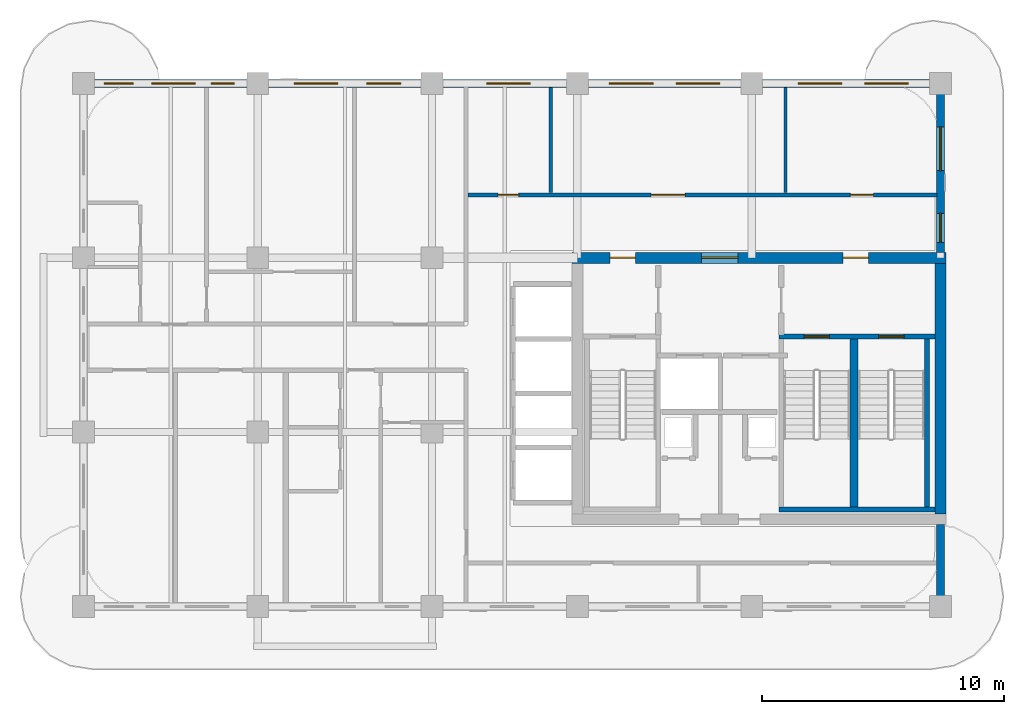
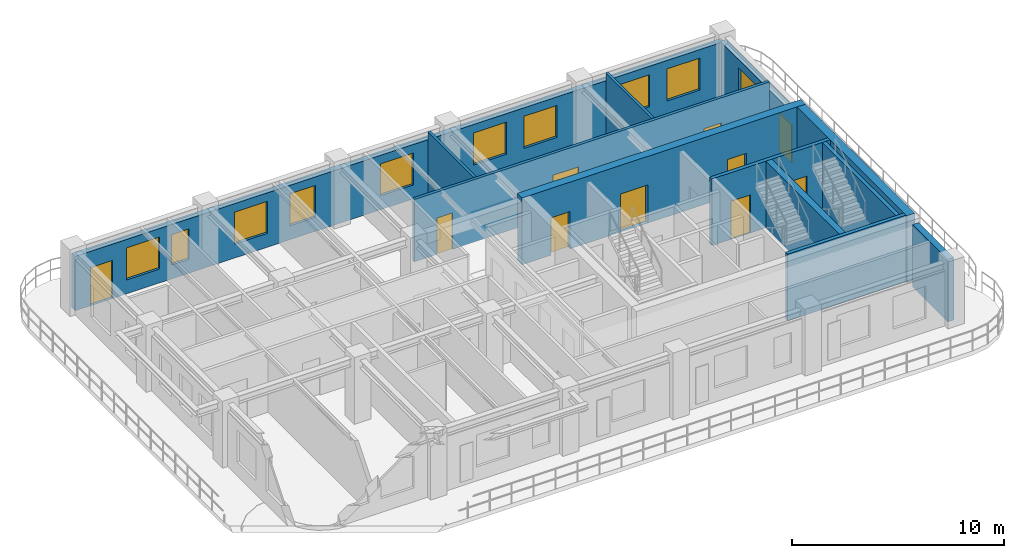
# One storey, part 5 of 8: 12 walls, 10 doors, 10 windows, 20 openings.
"""IFC4 building model written with IfcOpenShell, lengths in metres."""

from ifc_helpers import new_model, si_unit, derived_unit, direction, frame, frame_2d, origin, place, context, subcontext, project, spatial, rectangle, extrude, source, transform, mapped, material, layer, layer_set, type_object, type_shapes, element, fill, save


model = new_model("IFC4")

# Units and contexts
model_context = context("Model", 3, precision=1e-05, world=origin(), true_north=direction((0.0, 1.0)))
body_context = subcontext(model_context, "Body", "Model", "MODEL_VIEW")
ifc_project = project(units=[si_unit("LENGTHUNIT", "METRE"), si_unit("AREAUNIT", "SQUARE_METRE"), si_unit("VOLUMEUNIT", "CUBIC_METRE"), si_unit("PLANEANGLEUNIT", "RADIAN"), si_unit("MASSUNIT", "GRAM", prefix="KILO"), si_unit("THERMODYNAMICTEMPERATUREUNIT", "KELVIN"), si_unit("POWERUNIT", "WATT"), derived_unit("THERMALTRANSMITTANCEUNIT", [(si_unit("POWERUNIT", "WATT"), 1), (si_unit("AREAUNIT", "SQUARE_METRE"), -1), (si_unit("THERMODYNAMICTEMPERATUREUNIT", "KELVIN"), -1)])], contexts=[model_context])

# Site, building, storey
site_placement = place(None, origin())
site = spatial("IfcSite", under=ifc_project, at=site_placement, CompositionType="ELEMENT")
building_placement = place(site_placement, origin())
building = spatial("IfcBuilding", under=site, at=building_placement, Name="Zahravan Archway Hotel and Residences", CompositionType="ELEMENT")
storey_placement = place(building_placement, frame((0.0, 0.0, 232.699951171875)))
storey = spatial("IfcBuildingStorey", under=building, at=storey_placement, Name="L58", CompositionType="ELEMENT", Elevation=232.699951171875)

# Wall, openings, doors
ifc_material_1 = material(Name="Concrete C50/60", Category="concrete")
ifc_layer_1 = layer(ifc_material_1, 0.449951171875, Name="Concrete C50/60", Category="concrete")
ifc_layer_set_1 = layer_set([ifc_layer_1], Name="Concrete C50/60")
wall_type_1 = type_object("IfcWallType", Name="CW-CORE-450", PredefinedType="SHEAR", material=ifc_layer_set_1)
wall_1_placement = place(storey_placement, frame((34.574951171875, 14.39990234375, 0.0), z_axis=(0.0, 0.0, 1.0), x_axis=(1.0, 0.0, 0.0)))
wall_1 = element("IfcWall", 1, at=wall_1_placement, inside=storey, type_object=wall_type_1, Name="L58 Core A Shear N Wall 450 mm", PredefinedType="SHEAR", context=body_context, shape_type="SweptSolid", body=[
    extrude(rectangle(XDim=15.449951171875, YDim=0.449951171875, at=frame_2d((7.72509765625, 0.0))), origin(), (0.0, 0.0, 1.0), 3.85009765625),
])
opening_1_placement = place(wall_1_placement, frame((5.35498046875, 0.0, 0.0)))
opening_1 = element("IfcOpeningElement", 2, at=opening_1_placement, cuts=wall_1, Name="Opening FD-L1", PredefinedType="OPENING", context=body_context, shape_type="SweptSolid", body=[
    extrude(rectangle(XDim=1.5, YDim=2.199951171875, at=frame_2d((0.75, 1.10009765625))), frame((0.0, 0.23486328125, 0.0), z_axis=(0.0, -1.0, 0.0), x_axis=(1.0, 0.0, 0.0)), (0.0, 0.0, 1.0), 0.469970703125),
])
opening_2_placement = place(wall_1_placement, frame((1.570068359375, 0.0, 0.0)))
opening_2 = element("IfcOpeningElement", 3, at=opening_2_placement, cuts=wall_1, Name="Opening FD-L2", PredefinedType="OPENING", context=body_context, shape_type="SweptSolid", body=[
    extrude(rectangle(XDim=1.050048828125, YDim=2.14990234375, at=frame_2d((0.52490234375, 1.074951171875))), frame((0.0, 0.23486328125, 0.0), z_axis=(0.0, -1.0, 0.0), x_axis=(1.0, 0.0, 0.0)), (0.0, 0.0, 1.0), 0.469970703125),
])
opening_3_placement = place(wall_1_placement, frame((11.199951171875, 0.0, 0.0)))
opening_3 = element("IfcOpeningElement", 4, at=opening_3_placement, cuts=wall_1, Name="Opening FD-L2", PredefinedType="OPENING", context=body_context, shape_type="SweptSolid", body=[
    extrude(rectangle(XDim=1.050048828125, YDim=2.14990234375, at=frame_2d((0.52490234375, 1.074951171875))), frame((0.0, 0.23486328125, 0.0), z_axis=(0.0, -1.0, 0.0), x_axis=(1.0, 0.0, 0.0)), (0.0, 0.0, 1.0), 0.469970703125),
])
ifc_material_2 = material(Name="Fire-Rated Painted Steel", Category="steel")
door_type_1 = type_object("IfcDoorType", Name="FD-LOBBY-1100", OperationType="NOTDEFINED", PredefinedType="DOOR", material=ifc_material_2)
shared_shape_1 = source(origin(), body_context, "Body", "SweptSolid", [
    extrude(rectangle(XDim=1.050048828125, YDim=2.14990234375, at=frame_2d((0.52490234375, 1.074951171875))), frame((0.0, 0.02490234375, 0.0), z_axis=(0.0, -1.0, 0.0), x_axis=(1.0, 0.0, 0.0)), (0.0, 0.0, 1.0), 0.050048828125),
])
type_shapes(door_type_1, [shared_shape_1])
door_1_placement = place(opening_2_placement, origin())
door_1 = element("IfcDoor", 5, at=door_1_placement, inside=storey, type_object=door_type_1, Name="L58 Core A West Stair Lobby Door", OperationType="SINGLE_SWING_RIGHT", OverallHeight=2.14990234375, OverallWidth=1.050048828125, PredefinedType="DOOR", context=body_context, shape_type="MappedRepresentation", body=[
    mapped(shared_shape_1, transform((0.0, 0.0, 0.0), scale=1.0)),
])
fill(opening_2, door_1)
door_2_placement = place(opening_3_placement, origin())
door_2 = element("IfcDoor", 6, at=door_2_placement, inside=storey, type_object=door_type_1, Name="L58 Core A East Stair Lobby Door", OperationType="SINGLE_SWING_LEFT", OverallHeight=2.14990234375, OverallWidth=1.050048828125, PredefinedType="DOOR", context=body_context, shape_type="MappedRepresentation", body=[
    mapped(shared_shape_1, transform((0.0, 0.0, 0.0), scale=1.0)),
])
fill(opening_3, door_2)
door_type_2 = type_object("IfcDoorType", Name="FD-LOBBY-1500", OperationType="DOUBLE_DOOR_SINGLE_SWING", PredefinedType="DOOR", material=ifc_material_2)
shared_shape_2 = source(origin(), body_context, "Body", "SweptSolid", [
    extrude(rectangle(XDim=1.5, YDim=2.199951171875, at=frame_2d((0.75, 1.10009765625))), frame((0.0, 0.02490234375, 0.0), z_axis=(0.0, -1.0, 0.0), x_axis=(1.0, 0.0, 0.0)), (0.0, 0.0, 1.0), 0.050048828125),
])
type_shapes(door_type_2, [shared_shape_2])
door_3_placement = place(opening_1_placement, origin())
door_3 = element("IfcDoor", 7, at=door_3_placement, inside=storey, type_object=door_type_2, Name="L58 Core A FSAE Lobby Main Door", OperationType="DOUBLE_DOOR_SINGLE_SWING", OverallHeight=2.199951171875, OverallWidth=1.5, PredefinedType="DOOR", context=body_context, shape_type="MappedRepresentation", body=[
    mapped(shared_shape_2, transform((0.0, 0.0, 0.0), scale=1.0)),
])
fill(opening_1, door_3)

# Walls
wall_2_placement = place(storey_placement, frame((49.800048828125, 3.824951171875, 0.0), z_axis=(0.0, 0.0, 1.0), x_axis=(0.0, 1.0, 0.0)))
element("IfcWall", 8, at=wall_2_placement, inside=storey, type_object=wall_type_1, Name="L58 Core A Shear E Wall 450 mm", PredefinedType="SHEAR", context=body_context, shape_type="SweptSolid", body=[
    extrude(rectangle(XDim=10.35009765625, YDim=0.449951171875, at=frame_2d((5.175048828125, 0.0))), origin(), (0.0, 0.0, 1.0), 3.85009765625),
])
ifc_material_3 = material(Name="Agra Buff Sandstone & Insulated Backup", Category="masonry")
ifc_layer_2 = layer(ifc_material_3, 0.320068359375, Name="Agra Buff Sandstone & Insulated Backup", Category="masonry")
ifc_layer_set_2 = layer_set([ifc_layer_2], Name="Agra Buff Sandstone & Insulated Backup")
wall_type_2 = type_object("IfcWallType", Name="EW-SAND-320", PredefinedType="SOLIDWALL", material=ifc_layer_set_2)
wall_3_placement = place(storey_placement, frame((49.800048828125, 0.050048828125, 0.0), z_axis=(0.0, 0.0, 1.0), x_axis=(0.0, 1.0, 0.0)))
element("IfcWall", 9, at=wall_3_placement, inside=storey, type_object=wall_type_2, Name="L58 Exterior Sandstone Wall WA-ES", PredefinedType="SOLIDWALL", context=body_context, shape_type="SweptSolid", body=[
    extrude(rectangle(XDim=3.329833984375, YDim=0.320068359375, at=frame_2d((1.6650390625, 0.0))), origin(), (0.0, 0.0, 1.0), 3.60009765625),
])

# Wall, openings, door, window
wall_4_placement = place(storey_placement, frame((49.800048828125, 14.6201171875, 0.0), z_axis=(0.0, 0.0, 1.0), x_axis=(0.0, 1.0, 0.0)))
wall_4 = element("IfcWall", 10, at=wall_4_placement, inside=storey, type_object=wall_type_2, Name="L58 Exterior Sandstone Wall WA-EN", PredefinedType="SOLIDWALL", context=body_context, shape_type="SweptSolid", body=[
    extrude(rectangle(XDim=6.929931640625, YDim=0.320068359375, at=frame_2d((3.46484375, 0.0))), origin(), (0.0, 0.0, 1.0), 3.135009765625),
])
opening_4_placement = place(wall_4_placement, frame((0.419921875, 0.0, 0.0)))
opening_4 = element("IfcOpeningElement", 11, at=opening_4_placement, cuts=wall_4, Name="Opening ED-BL1", PredefinedType="OPENING", context=body_context, shape_type="SweptSolid", body=[
    extrude(rectangle(XDim=1.199951171875, YDim=2.199951171875, at=frame_2d((0.60009765625, 1.10009765625))), frame((0.0, 0.169921875, 0.0), z_axis=(0.0, -1.0, 0.0), x_axis=(1.0, 0.0, 0.0)), (0.0, 0.0, 1.0), 0.340087890625),
])
opening_5_placement = place(wall_4_placement, frame((3.384033203125, 0.0, 0.800048828125)))
opening_5 = element("IfcOpeningElement", 12, at=opening_5_placement, cuts=wall_4, Name="Opening W-02", PredefinedType="OPENING", context=body_context, shape_type="SweptSolid", body=[
    extrude(rectangle(XDim=1.800048828125, YDim=1.85009765625, at=frame_2d((0.89990234375, 0.925048828125))), frame((0.0, 0.169921875, 0.0), z_axis=(0.0, -1.0, 0.0), x_axis=(1.0, 0.0, 0.0)), (0.0, 0.0, 1.0), 0.340087890625),
])
ifc_material_4 = material(Name="Bronze-Anodized Glazed Aluminium", Category="aluminium")
door_type_3 = type_object("IfcDoorType", Name="ED-BALC-1200", OperationType="SLIDING_TO_LEFT", PredefinedType="DOOR", material=ifc_material_4)
shared_shape_3 = source(origin(), body_context, "Body", "SweptSolid", [
    extrude(rectangle(XDim=1.199951171875, YDim=2.199951171875, at=frame_2d((0.60009765625, 1.10009765625))), frame((0.0, 0.02490234375, 0.0), z_axis=(0.0, -1.0, 0.0), x_axis=(1.0, 0.0, 0.0)), (0.0, 0.0, 1.0), 0.050048828125),
])
type_shapes(door_type_3, [shared_shape_3])
door_4_placement = place(opening_4_placement, origin())
door_4 = element("IfcDoor", 13, at=door_4_placement, inside=storey, type_object=door_type_3, Name="L58 Outdoor Access Sliding Door (SLB-BAL-L58-EA)", OperationType="SLIDING_TO_LEFT", OverallHeight=2.199951171875, OverallWidth=1.199951171875, PredefinedType="DOOR", context=body_context, shape_type="MappedRepresentation", body=[
    mapped(shared_shape_3, transform((0.0, 0.0, 0.0), scale=1.0)),
])
fill(opening_4, door_4)
ifc_material_5 = material(Name="Bronze-Anodized Thermal-Break Aluminium & Low-E Glass", Category="aluminium")
window_type_1 = type_object("IfcWindowType", Name="WIN-TWR-1800", PartitioningType="DOUBLE_PANEL_VERTICAL", PredefinedType="WINDOW", material=ifc_material_5)
shared_shape_4 = source(origin(), body_context, "Body", "SweptSolid", [
    extrude(rectangle(XDim=1.800048828125, YDim=1.85009765625, at=frame_2d((0.89990234375, 0.925048828125))), frame((0.0, 0.030029296875, 0.0), z_axis=(0.0, -1.0, 0.0), x_axis=(1.0, 0.0, 0.0)), (0.0, 0.0, 1.0), 0.06005859375),
])
type_shapes(window_type_1, [shared_shape_4])
window_1_placement = place(opening_5_placement, origin())
window_1 = element("IfcWindow", 14, at=window_1_placement, inside=storey, type_object=window_type_1, Name="L58 Loggia Window 10", OverallHeight=1.85009765625, OverallWidth=1.800048828125, PartitioningType="DOUBLE_PANEL_VERTICAL", PredefinedType="WINDOW", context=body_context, shape_type="MappedRepresentation", body=[
    mapped(shared_shape_4, transform((0.0, 0.0, 0.0), scale=1.0)),
])
fill(opening_5, window_1)

# Wall, openings, door, windows
wall_5_placement = place(storey_placement, frame((14.39990234375, 21.60009765625, 0.0), z_axis=(0.0, 0.0, 1.0), x_axis=(1.0, 0.0, 0.0)))
wall_5 = element("IfcWall", 15, at=wall_5_placement, inside=storey, type_object=wall_type_2, Name="L58 Exterior Sandstone Wall WA-N", PredefinedType="SOLIDWALL", context=body_context, shape_type="SweptSolid", body=[
    extrude(rectangle(XDim=35.400146484375, YDim=0.320068359375, at=frame_2d((17.7001953125, 0.0))), origin(), (0.0, 0.0, 1.0), 3.135009765625),
])
opening_6_placement = place(wall_5_placement, frame((0.85009765625, 0.0, 0.0)))
opening_6 = element("IfcOpeningElement", 16, at=opening_6_placement, cuts=wall_5, Name="Opening ED-BL1", PredefinedType="OPENING", context=body_context, shape_type="SweptSolid", body=[
    extrude(rectangle(XDim=1.199951171875, YDim=2.199951171875, at=frame_2d((0.60009765625, 1.10009765625))), frame((0.0, 0.169921875, 0.0), z_axis=(0.0, -1.0, 0.0), x_axis=(1.0, 0.0, 0.0)), (0.0, 0.0, 1.0), 0.340087890625),
])
opening_7_placement = place(wall_5_placement, frame((2.81103515625, 0.0, 0.800048828125)))
opening_7 = element("IfcOpeningElement", 17, at=opening_7_placement, cuts=wall_5, Name="Opening W-02", PredefinedType="OPENING", context=body_context, shape_type="SweptSolid", body=[
    extrude(rectangle(XDim=1.800048828125, YDim=1.85009765625, at=frame_2d((0.89990234375, 0.925048828125))), frame((0.0, 0.169921875, 0.0), z_axis=(0.0, -1.0, 0.0), x_axis=(1.0, 0.0, 0.0)), (0.0, 0.0, 1.0), 0.340087890625),
])
opening_8_placement = place(wall_5_placement, frame((5.26904296875, 0.0, 0.800048828125)))
opening_8 = element("IfcOpeningElement", 18, at=opening_8_placement, cuts=wall_5, Name="Opening W-04", PredefinedType="OPENING", context=body_context, shape_type="SweptSolid", body=[
    extrude(rectangle(XDim=0.949951171875, YDim=1.75, at=frame_2d((0.47509765625, 0.875))), frame((0.0, 0.169921875, 0.0), z_axis=(0.0, -1.0, 0.0), x_axis=(1.0, 0.0, 0.0)), (0.0, 0.0, 1.0), 0.340087890625),
])
opening_9_placement = place(wall_5_placement, frame((8.696044921875, 0.0, 0.800048828125)))
opening_9 = element("IfcOpeningElement", 19, at=opening_9_placement, cuts=wall_5, Name="Opening W-02", PredefinedType="OPENING", context=body_context, shape_type="SweptSolid", body=[
    extrude(rectangle(XDim=1.800048828125, YDim=1.85009765625, at=frame_2d((0.89990234375, 0.925048828125))), frame((0.0, 0.169921875, 0.0), z_axis=(0.0, -1.0, 0.0), x_axis=(1.0, 0.0, 0.0)), (0.0, 0.0, 1.0), 0.340087890625),
])
opening_10_placement = place(wall_5_placement, frame((11.7041015625, 0.0, 0.800048828125)))
opening_10 = element("IfcOpeningElement", 20, at=opening_10_placement, cuts=wall_5, Name="Opening W-03", PredefinedType="OPENING", context=body_context, shape_type="SweptSolid", body=[
    extrude(rectangle(XDim=1.39990234375, YDim=1.85009765625, at=frame_2d((0.699951171875, 0.925048828125))), frame((0.0, 0.169921875, 0.0), z_axis=(0.0, -1.0, 0.0), x_axis=(1.0, 0.0, 0.0)), (0.0, 0.0, 1.0), 0.340087890625),
])
opening_11_placement = place(wall_5_placement, frame((16.65087890625, 0.0, 0.800048828125)))
opening_11 = element("IfcOpeningElement", 21, at=opening_11_placement, cuts=wall_5, Name="Opening W-02", PredefinedType="OPENING", context=body_context, shape_type="SweptSolid", body=[
    extrude(rectangle(XDim=1.800048828125, YDim=1.85009765625, at=frame_2d((0.89990234375, 0.925048828125))), frame((0.0, 0.169921875, 0.0), z_axis=(0.0, -1.0, 0.0), x_axis=(1.0, 0.0, 0.0)), (0.0, 0.0, 1.0), 0.340087890625),
])
opening_12_placement = place(wall_5_placement, frame((21.72509765625, 0.0, 0.800048828125)))
opening_12 = element("IfcOpeningElement", 22, at=opening_12_placement, cuts=wall_5, Name="Opening W-02", PredefinedType="OPENING", context=body_context, shape_type="SweptSolid", body=[
    extrude(rectangle(XDim=1.800048828125, YDim=1.85009765625, at=frame_2d((0.89990234375, 0.925048828125))), frame((0.0, 0.169921875, 0.0), z_axis=(0.0, -1.0, 0.0), x_axis=(1.0, 0.0, 0.0)), (0.0, 0.0, 1.0), 0.340087890625),
])
opening_13_placement = place(wall_5_placement, frame((24.47509765625, 0.0, 0.800048828125)))
opening_13 = element("IfcOpeningElement", 23, at=opening_13_placement, cuts=wall_5, Name="Opening W-02", PredefinedType="OPENING", context=body_context, shape_type="SweptSolid", body=[
    extrude(rectangle(XDim=1.800048828125, YDim=1.85009765625, at=frame_2d((0.89990234375, 0.925048828125))), frame((0.0, 0.169921875, 0.0), z_axis=(0.0, -1.0, 0.0), x_axis=(1.0, 0.0, 0.0)), (0.0, 0.0, 1.0), 0.340087890625),
])
opening_14_placement = place(wall_5_placement, frame((29.531005859375, 0.0, 0.800048828125)))
opening_14 = element("IfcOpeningElement", 24, at=opening_14_placement, cuts=wall_5, Name="Opening W-02", PredefinedType="OPENING", context=body_context, shape_type="SweptSolid", body=[
    extrude(rectangle(XDim=1.800048828125, YDim=1.85009765625, at=frame_2d((0.89990234375, 0.925048828125))), frame((0.0, 0.169921875, 0.0), z_axis=(0.0, -1.0, 0.0), x_axis=(1.0, 0.0, 0.0)), (0.0, 0.0, 1.0), 0.340087890625),
])
opening_15_placement = place(wall_5_placement, frame((32.277099609375, 0.0, 0.800048828125)))
opening_15 = element("IfcOpeningElement", 25, at=opening_15_placement, cuts=wall_5, Name="Opening W-02", PredefinedType="OPENING", context=body_context, shape_type="SweptSolid", body=[
    extrude(rectangle(XDim=1.800048828125, YDim=1.85009765625, at=frame_2d((0.89990234375, 0.925048828125))), frame((0.0, 0.169921875, 0.0), z_axis=(0.0, -1.0, 0.0), x_axis=(1.0, 0.0, 0.0)), (0.0, 0.0, 1.0), 0.340087890625),
])
door_5_placement = place(opening_6_placement, origin())
door_5 = element("IfcDoor", 26, at=door_5_placement, inside=storey, type_object=door_type_3, Name="L58 Outdoor Access Sliding Door (SLB-BAL-L58-WA)", OperationType="SLIDING_TO_LEFT", OverallHeight=2.199951171875, OverallWidth=1.199951171875, PredefinedType="DOOR", context=body_context, shape_type="MappedRepresentation", body=[
    mapped(shared_shape_3, transform((0.0, 0.0, 0.0), scale=1.0)),
])
fill(opening_6, door_5)
window_type_2 = type_object("IfcWindowType", Name="WIN-TWR-1400", PartitioningType="SINGLE_PANEL", PredefinedType="WINDOW", material=ifc_material_5)
shared_shape_5 = source(origin(), body_context, "Body", "SweptSolid", [
    extrude(rectangle(XDim=1.39990234375, YDim=1.85009765625, at=frame_2d((0.699951171875, 0.925048828125))), frame((0.0, 0.030029296875, 0.0), z_axis=(0.0, -1.0, 0.0), x_axis=(1.0, 0.0, 0.0)), (0.0, 0.0, 1.0), 0.06005859375),
])
type_shapes(window_type_2, [shared_shape_5])
window_2_placement = place(opening_10_placement, origin())
window_2 = element("IfcWindow", 27, at=window_2_placement, inside=storey, type_object=window_type_2, Name="L58 Loggia Window 14", OverallHeight=1.85009765625, OverallWidth=1.39990234375, PartitioningType="SINGLE_PANEL", PredefinedType="WINDOW", context=body_context, shape_type="MappedRepresentation", body=[
    mapped(shared_shape_5, transform((0.0, 0.0, 0.0), scale=1.0)),
])
fill(opening_10, window_2)
window_type_3 = type_object("IfcWindowType", Name="WIN-NAR-950", PartitioningType="SINGLE_PANEL", PredefinedType="WINDOW", material=ifc_material_5)
shared_shape_6 = source(origin(), body_context, "Body", "SweptSolid", [
    extrude(rectangle(XDim=0.949951171875, YDim=1.75, at=frame_2d((0.47509765625, 0.875))), frame((0.0, 0.030029296875, 0.0), z_axis=(0.0, -1.0, 0.0), x_axis=(1.0, 0.0, 0.0)), (0.0, 0.0, 1.0), 0.06005859375),
])
type_shapes(window_type_3, [shared_shape_6])
window_3_placement = place(opening_8_placement, origin())
window_3 = element("IfcWindow", 28, at=window_3_placement, inside=storey, type_object=window_type_3, Name="L58 Loggia Window 12", OverallHeight=1.75, OverallWidth=0.949951171875, PartitioningType="SINGLE_PANEL", PredefinedType="WINDOW", context=body_context, shape_type="MappedRepresentation", body=[
    mapped(shared_shape_6, transform((0.0, 0.0, 0.0), scale=1.0)),
])
fill(opening_8, window_3)
window_4_placement = place(opening_7_placement, origin())
window_4 = element("IfcWindow", 29, at=window_4_placement, inside=storey, type_object=window_type_1, Name="L58 Loggia Window 11", OverallHeight=1.85009765625, OverallWidth=1.800048828125, PartitioningType="DOUBLE_PANEL_VERTICAL", PredefinedType="WINDOW", context=body_context, shape_type="MappedRepresentation", body=[
    mapped(shared_shape_4, transform((0.0, 0.0, 0.0), scale=1.0)),
])
fill(opening_7, window_4)
window_5_placement = place(opening_9_placement, origin())
window_5 = element("IfcWindow", 30, at=window_5_placement, inside=storey, type_object=window_type_1, Name="L58 Loggia Window 13", OverallHeight=1.85009765625, OverallWidth=1.800048828125, PartitioningType="DOUBLE_PANEL_VERTICAL", PredefinedType="WINDOW", context=body_context, shape_type="MappedRepresentation", body=[
    mapped(shared_shape_4, transform((0.0, 0.0, 0.0), scale=1.0)),
])
fill(opening_9, window_5)
window_6_placement = place(opening_11_placement, origin())
window_6 = element("IfcWindow", 31, at=window_6_placement, inside=storey, type_object=window_type_1, Name="L58 Loggia Window 15", OverallHeight=1.85009765625, OverallWidth=1.800048828125, PartitioningType="DOUBLE_PANEL_VERTICAL", PredefinedType="WINDOW", context=body_context, shape_type="MappedRepresentation", body=[
    mapped(shared_shape_4, transform((0.0, 0.0, 0.0), scale=1.0)),
])
fill(opening_11, window_6)
window_7_placement = place(opening_12_placement, origin())
window_7 = element("IfcWindow", 32, at=window_7_placement, inside=storey, type_object=window_type_1, Name="L58 Loggia Window 16", OverallHeight=1.85009765625, OverallWidth=1.800048828125, PartitioningType="DOUBLE_PANEL_VERTICAL", PredefinedType="WINDOW", context=body_context, shape_type="MappedRepresentation", body=[
    mapped(shared_shape_4, transform((0.0, 0.0, 0.0), scale=1.0)),
])
fill(opening_12, window_7)
window_8_placement = place(opening_13_placement, origin())
window_8 = element("IfcWindow", 33, at=window_8_placement, inside=storey, type_object=window_type_1, Name="L58 Loggia Window 17", OverallHeight=1.85009765625, OverallWidth=1.800048828125, PartitioningType="DOUBLE_PANEL_VERTICAL", PredefinedType="WINDOW", context=body_context, shape_type="MappedRepresentation", body=[
    mapped(shared_shape_4, transform((0.0, 0.0, 0.0), scale=1.0)),
])
fill(opening_13, window_8)
window_9_placement = place(opening_14_placement, origin())
window_9 = element("IfcWindow", 34, at=window_9_placement, inside=storey, type_object=window_type_1, Name="L58 Loggia Window 18", OverallHeight=1.85009765625, OverallWidth=1.800048828125, PartitioningType="DOUBLE_PANEL_VERTICAL", PredefinedType="WINDOW", context=body_context, shape_type="MappedRepresentation", body=[
    mapped(shared_shape_4, transform((0.0, 0.0, 0.0), scale=1.0)),
])
fill(opening_14, window_9)
window_10_placement = place(opening_15_placement, origin())
window_10 = element("IfcWindow", 35, at=window_10_placement, inside=storey, type_object=window_type_1, Name="L58 Loggia Window 19", OverallHeight=1.85009765625, OverallWidth=1.800048828125, PartitioningType="DOUBLE_PANEL_VERTICAL", PredefinedType="WINDOW", context=body_context, shape_type="MappedRepresentation", body=[
    mapped(shared_shape_4, transform((0.0, 0.0, 0.0), scale=1.0)),
])
fill(opening_15, window_10)

# Wall, openings, doors
ifc_material_6 = material(Name="Fire-Rated Gypsum & Concrete Block", Category="concrete")
ifc_layer_3 = layer(ifc_material_6, 0.159912109375, Name="Fire-Rated Gypsum & Concrete Block", Category="concrete")
ifc_layer_set_3 = layer_set([ifc_layer_3], Name="Fire-Rated Gypsum & Concrete Block")
wall_type_3 = type_object("IfcWallType", Name="PW-CORR-160", PredefinedType="PARTITIONING", material=ifc_layer_set_3)
wall_6_placement = place(storey_placement, frame((30.2900390625, 17.0, 0.0), z_axis=(0.0, 0.0, 1.0), x_axis=(1.0, 0.0, 0.0)))
wall_6 = element("IfcWall", 36, at=wall_6_placement, inside=storey, type_object=wall_type_3, Name="L58 Partition WA-FN", PredefinedType="PARTITIONING", context=body_context, shape_type="SweptSolid", body=[
    extrude(rectangle(XDim=19.369873046875, YDim=0.159912109375, at=frame_2d((9.68505859375, 0.0))), origin(), (0.0, 0.0, 1.0), 3.60009765625),
])
opening_16_placement = place(wall_6_placement, frame((1.235107421875, 0.0, 0.0)))
opening_16 = element("IfcOpeningElement", 37, at=opening_16_placement, cuts=wall_6, Name="Opening D-B1", PredefinedType="OPENING", context=body_context, shape_type="SweptSolid", body=[
    extrude(rectangle(XDim=0.85009765625, YDim=2.10009765625, at=frame_2d((0.425048828125, 1.050048828125))), frame((0.0, 0.08984375, 0.0), z_axis=(0.0, -1.0, 0.0), x_axis=(1.0, 0.0, 0.0)), (0.0, 0.0, 1.0), 0.179931640625),
])
opening_17_placement = place(wall_6_placement, frame((7.56005859375, 0.0, 0.0)))
opening_17 = element("IfcOpeningElement", 38, at=opening_17_placement, cuts=wall_6, Name="Opening D-P1", PredefinedType="OPENING", context=body_context, shape_type="SweptSolid", body=[
    extrude(rectangle(XDim=1.39990234375, YDim=2.35009765625, at=frame_2d((0.699951171875, 1.175048828125))), frame((0.0, 0.08984375, 0.0), z_axis=(0.0, -1.0, 0.0), x_axis=(1.0, 0.0, 0.0)), (0.0, 0.0, 1.0), 0.179931640625),
])
opening_18_placement = place(wall_6_placement, frame((15.784912109375, 0.0, 0.0)))
opening_18 = element("IfcOpeningElement", 39, at=opening_18_placement, cuts=wall_6, Name="Opening D-I1", PredefinedType="OPENING", context=body_context, shape_type="SweptSolid", body=[
    extrude(rectangle(XDim=0.949951171875, YDim=2.14990234375, at=frame_2d((0.47509765625, 1.074951171875))), frame((0.0, 0.08984375, 0.0), z_axis=(0.0, -1.0, 0.0), x_axis=(1.0, 0.0, 0.0)), (0.0, 0.0, 1.0), 0.179931640625),
])
ifc_material_7 = material(Name="Hardwood Veneer Timber", Category="wood")
door_type_4 = type_object("IfcDoorType", Name="ID-BATH-850", OperationType="NOTDEFINED", PredefinedType="DOOR", material=ifc_material_7)
shared_shape_7 = source(origin(), body_context, "Body", "SweptSolid", [
    extrude(rectangle(XDim=0.85009765625, YDim=2.10009765625, at=frame_2d((0.425048828125, 1.050048828125))), frame((0.0, 0.02490234375, 0.0), z_axis=(0.0, -1.0, 0.0), x_axis=(1.0, 0.0, 0.0)), (0.0, 0.0, 1.0), 0.050048828125),
])
type_shapes(door_type_4, [shared_shape_7])
door_6_placement = place(opening_16_placement, origin())
door_6 = element("IfcDoor", 40, at=door_6_placement, inside=storey, type_object=door_type_4, Name="L58 Accessible WC Door", OperationType="SINGLE_SWING_LEFT", OverallHeight=2.10009765625, OverallWidth=0.85009765625, PredefinedType="DOOR", context=body_context, shape_type="MappedRepresentation", body=[
    mapped(shared_shape_7, transform((0.0, 0.0, 0.0), scale=1.0)),
])
fill(opening_16, door_6)
door_type_5 = type_object("IfcDoorType", Name="ID-PUBLIC-1400", OperationType="DOUBLE_DOOR_SINGLE_SWING", PredefinedType="DOOR", material=ifc_material_4)
shared_shape_8 = source(origin(), body_context, "Body", "SweptSolid", [
    extrude(rectangle(XDim=1.39990234375, YDim=2.35009765625, at=frame_2d((0.699951171875, 1.175048828125))), frame((0.0, 0.02490234375, 0.0), z_axis=(0.0, -1.0, 0.0), x_axis=(1.0, 0.0, 0.0)), (0.0, 0.0, 1.0), 0.050048828125),
])
type_shapes(door_type_5, [shared_shape_8])
door_7_placement = place(opening_17_placement, origin())
door_7 = element("IfcDoor", 41, at=door_7_placement, inside=storey, type_object=door_type_5, Name="L58 Private Dining Door", OperationType="DOUBLE_DOOR_SINGLE_SWING", OverallHeight=2.35009765625, OverallWidth=1.39990234375, PredefinedType="DOOR", context=body_context, shape_type="MappedRepresentation", body=[
    mapped(shared_shape_8, transform((0.0, 0.0, 0.0), scale=1.0)),
])
fill(opening_17, door_7)
door_type_6 = type_object("IfcDoorType", Name="ID-INT-950", OperationType="NOTDEFINED", PredefinedType="DOOR", material=ifc_material_7)
shared_shape_9 = source(origin(), body_context, "Body", "SweptSolid", [
    extrude(rectangle(XDim=0.949951171875, YDim=2.14990234375, at=frame_2d((0.47509765625, 1.074951171875))), frame((0.0, 0.02490234375, 0.0), z_axis=(0.0, -1.0, 0.0), x_axis=(1.0, 0.0, 0.0)), (0.0, 0.0, 1.0), 0.050048828125),
])
type_shapes(door_type_6, [shared_shape_9])
door_8_placement = place(opening_18_placement, origin())
door_8 = element("IfcDoor", 42, at=door_8_placement, inside=storey, type_object=door_type_6, Name="L58 Quiet Musalla Door", OperationType="SINGLE_SWING_RIGHT", OverallHeight=2.14990234375, OverallWidth=0.949951171875, PredefinedType="DOOR", context=body_context, shape_type="MappedRepresentation", body=[
    mapped(shared_shape_9, transform((0.0, 0.0, 0.0), scale=1.0)),
])
fill(opening_18, door_8)

# Walls
ifc_material_8 = material(Name="Moisture-Resistant Blockwork", Category="masonry")
ifc_layer_4 = layer(ifc_material_8, 0.139892578125, Name="Moisture-Resistant Blockwork", Category="masonry")
ifc_layer_set_4 = layer_set([ifc_layer_4], Name="Moisture-Resistant Blockwork")
wall_type_4 = type_object("IfcWallType", Name="PW-WET-140", PredefinedType="PARTITIONING", material=ifc_layer_set_4)
for number, where, z_axis, x_axis, name in (
    (43, (33.699951171875, 17.090087890625, 0.0), (0.0, 0.0, 1.0), (0.0, 1.0, 0.0), "L58 Partition NE3-1"),
    (44, (43.39990234375, 17.090087890625, 0.0), (0.0, 0.0, 1.0), (0.0, 1.0, 0.0), "L58 Partition NE3-2"),
):
    element("IfcWall", number, at=place(storey_placement, frame(where, z_axis=z_axis, x_axis=x_axis)), inside=storey, type_object=wall_type_4, Name=name, PredefinedType="PARTITIONING", context=body_context, shape_type="SweptSolid", body=[
        extrude(rectangle(XDim=4.341796875, YDim=0.139892578125, at=frame_2d((2.1708984375, 0.0))), origin(), (0.0, 0.0, 1.0), 3.60009765625),
    ])
ifc_layer_5 = layer(ifc_material_1, 0.199951171875, Name="Concrete C50/60", Category="concrete")
ifc_layer_set_5 = layer_set([ifc_layer_5], Name="Concrete C50/60")
wall_type_5 = type_object("IfcWallType", Name="SW-STAIR-200", PredefinedType="SHEAR", material=ifc_layer_set_5)
wall_7_placement = place(storey_placement, frame((43.1201171875, 4.0, 0.0), z_axis=(0.0, 0.0, 1.0), x_axis=(1.0, 0.0, 0.0)))
element("IfcWall", 45, at=wall_7_placement, inside=storey, type_object=wall_type_5, Name="L58 Stairwell RC Wall CA-SA23S", PredefinedType="SHEAR", context=body_context, shape_type="SweptSolid", body=[
    extrude(rectangle(XDim=6.454833984375, YDim=0.199951171875, at=frame_2d((3.2275390625, 0.0))), origin(), (0.0, 0.0, 1.0), 3.85009765625),
])
wall_8_placement = place(storey_placement, frame((49.239990234375, 4.10009765625, 0.0), z_axis=(0.0, 0.0, 1.0), x_axis=(0.0, 1.0, 0.0)))
element("IfcWall", 46, at=wall_8_placement, inside=storey, type_object=wall_type_5, Name="L58 Stairwell RC Wall CA-SA3E", PredefinedType="SHEAR", context=body_context, shape_type="SweptSolid", body=[
    extrude(rectangle(XDim=6.949951171875, YDim=0.199951171875, at=frame_2d((3.47509765625, 0.0))), origin(), (0.0, 0.0, 1.0), 3.85009765625),
])

# Wall, openings, doors
wall_9_placement = place(storey_placement, frame((43.1201171875, 11.14990234375, 0.0), z_axis=(0.0, 0.0, 1.0), x_axis=(1.0, 0.0, 0.0)))
wall_9 = element("IfcWall", 47, at=wall_9_placement, inside=storey, type_object=wall_type_5, Name="L58 Stairwell RC Wall CA-SA23N", PredefinedType="SHEAR", context=body_context, shape_type="SweptSolid", body=[
    extrude(rectangle(XDim=6.454833984375, YDim=0.199951171875, at=frame_2d((3.2275390625, 0.0))), origin(), (0.0, 0.0, 1.0), 3.85009765625),
])
opening_19_placement = place(wall_9_placement, frame((1.044921875, 0.0, 0.0)))
opening_19 = element("IfcOpeningElement", 48, at=opening_19_placement, cuts=wall_9, Name="Opening FD-S1", PredefinedType="OPENING", context=body_context, shape_type="SweptSolid", body=[
    extrude(rectangle(XDim=1.050048828125, YDim=2.199951171875, at=frame_2d((0.52490234375, 1.10009765625))), frame((0.0, 0.10986328125, 0.0), z_axis=(0.0, -1.0, 0.0), x_axis=(1.0, 0.0, 0.0)), (0.0, 0.0, 1.0), 0.219970703125),
])
opening_20_placement = place(wall_9_placement, frame((4.125, 0.0, 0.0)))
opening_20 = element("IfcOpeningElement", 49, at=opening_20_placement, cuts=wall_9, Name="Opening FD-S1", PredefinedType="OPENING", context=body_context, shape_type="SweptSolid", body=[
    extrude(rectangle(XDim=1.050048828125, YDim=2.199951171875, at=frame_2d((0.52490234375, 1.10009765625))), frame((0.0, 0.10986328125, 0.0), z_axis=(0.0, -1.0, 0.0), x_axis=(1.0, 0.0, 0.0)), (0.0, 0.0, 1.0), 0.219970703125),
])
door_type_7 = type_object("IfcDoorType", Name="FD-STAIR-1100", OperationType="NOTDEFINED", PredefinedType="DOOR", material=ifc_material_2)
shared_shape_10 = source(origin(), body_context, "Body", "SweptSolid", [
    extrude(rectangle(XDim=1.050048828125, YDim=2.199951171875, at=frame_2d((0.52490234375, 1.10009765625))), frame((0.0, 0.02490234375, 0.0), z_axis=(0.0, -1.0, 0.0), x_axis=(1.0, 0.0, 0.0)), (0.0, 0.0, 1.0), 0.050048828125),
])
type_shapes(door_type_7, [shared_shape_10])
door_9_placement = place(opening_19_placement, origin())
door_9 = element("IfcDoor", 50, at=door_9_placement, inside=storey, type_object=door_type_7, Name="L58 Stair ST-A2 Door", OperationType="SINGLE_SWING_RIGHT", OverallHeight=2.199951171875, OverallWidth=1.050048828125, PredefinedType="DOOR", context=body_context, shape_type="MappedRepresentation", body=[
    mapped(shared_shape_10, transform((0.0, 0.0, 0.0), scale=1.0)),
])
fill(opening_19, door_9)
door_10_placement = place(opening_20_placement, origin())
door_10 = element("IfcDoor", 51, at=door_10_placement, inside=storey, type_object=door_type_7, Name="L58 Stair ST-A3 Door", OperationType="SINGLE_SWING_LEFT", OverallHeight=2.199951171875, OverallWidth=1.050048828125, PredefinedType="DOOR", context=body_context, shape_type="MappedRepresentation", body=[
    mapped(shared_shape_10, transform((0.0, 0.0, 0.0), scale=1.0)),
])
fill(opening_20, door_10)

# Wall
ifc_layer_6 = layer(ifc_material_1, 0.340087890625, Name="Concrete C50/60", Category="concrete")
ifc_layer_set_6 = layer_set([ifc_layer_6], Name="Concrete C50/60")
wall_type_6 = type_object("IfcWallType", Name="SW-STAIR-340", PredefinedType="SHEAR", material=ifc_layer_set_6)
wall_10_placement = place(storey_placement, frame((46.22998046875, 4.10009765625, 0.0), z_axis=(0.0, 0.0, 1.0), x_axis=(0.0, 1.0, 0.0)))
element("IfcWall", 52, at=wall_10_placement, inside=storey, type_object=wall_type_6, Name="L58 Stairwell RC Wall CA-SA23M", PredefinedType="SHEAR", context=body_context, shape_type="SweptSolid", body=[
    extrude(rectangle(XDim=6.949951171875, YDim=0.340087890625, at=frame_2d((3.47509765625, 0.0))), origin(), (0.0, 0.0, 1.0), 3.85009765625),
])

save(model, "model.ifc")
